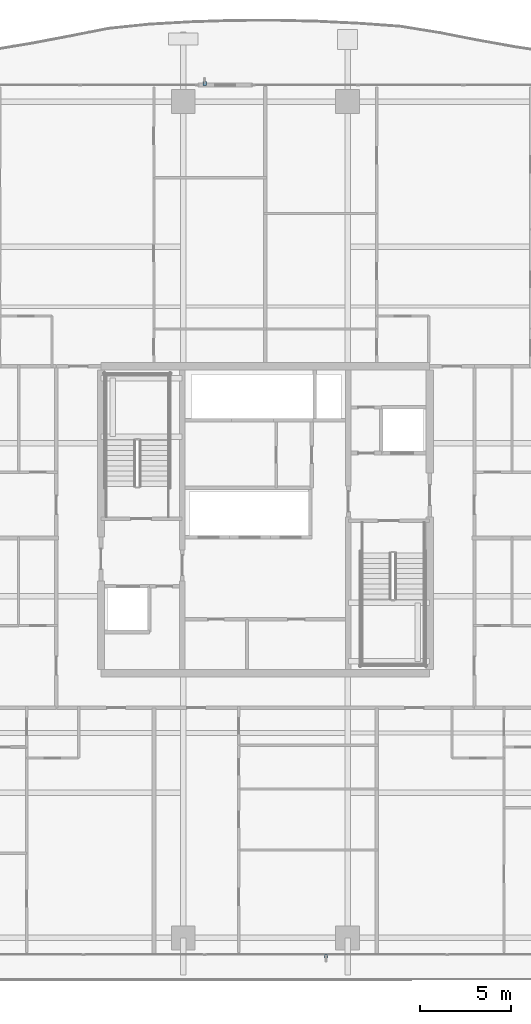
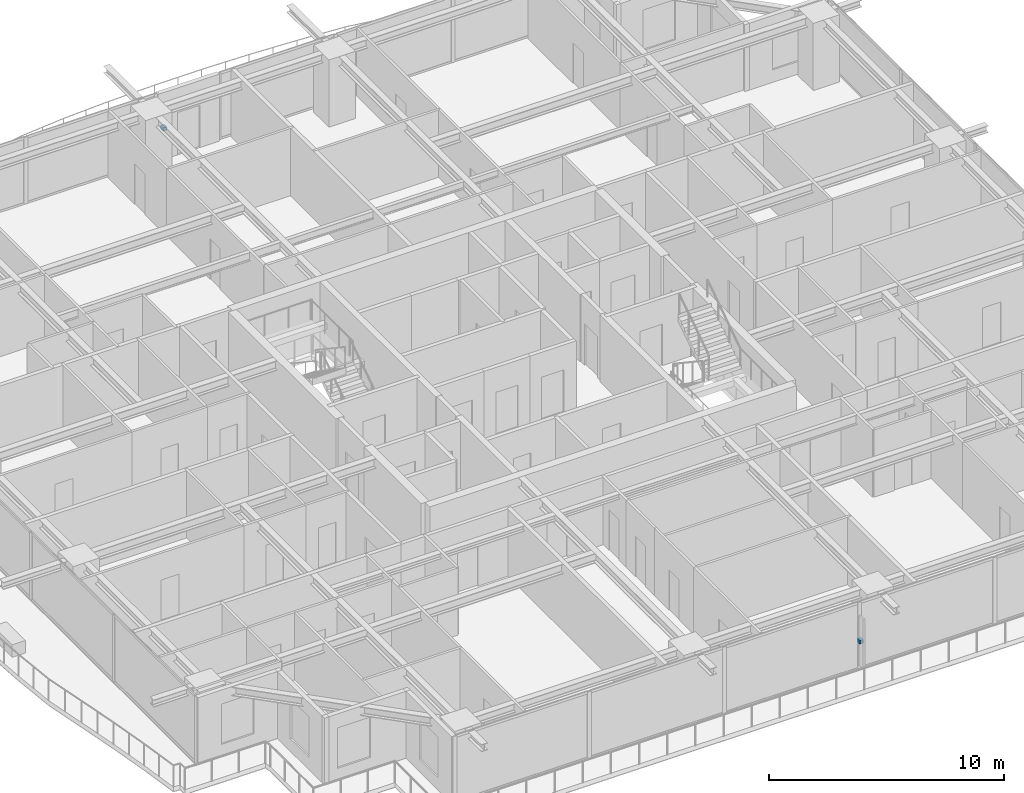
# One storey, part 32 of 39: 2 discrete accessories.
"""IFC4 building model written with IfcOpenShell, lengths in metres."""

import ifcopenshell
import ifcopenshell.guid

model = None  # the IFC model being written
_history = None  # IfcOwnerHistory: only IFC2X3 demands one
_inside = {}  # id of a spatial element -> (the spatial element, [elements in it])
_under = {}  # id of a project, library or spatial element -> (it, [spatial elements below it])
_declared = {}  # id of a project -> (the project, [libraries it declares])
_typed = {}  # id of a type object -> (the type object, [elements of that type])
_made_of = {}  # id of a material, layer set ... -> (it, [elements and type objects made of it])


def new_model(schema):
    """Start an empty IFC model of exactly this schema.

    Asked for "IFC4X3", IfcOpenShell would pick the latest addendum, in which some entities
    have other attributes; the version numbers below select the first issue.
    IFC2X3 requires an IfcOwnerHistory on every rooted entity: one is made here for all.
    """
    global model, _history
    if schema == "IFC4X3":
        model = ifcopenshell.file(schema_version=(4, 3, 0, 0))
    else:
        model = ifcopenshell.file(schema=schema)
    _inside.clear()
    _under.clear()
    _declared.clear()
    _typed.clear()
    _made_of.clear()
    _history = None
    if model.schema == "IFC2X3":
        org = make("IfcOrganization", Name="unknown")
        user = make(
            "IfcPersonAndOrganization",
            ThePerson=make("IfcPerson", FamilyName="unknown"),
            TheOrganization=org,
        )
        app = make(
            "IfcApplication",
            ApplicationDeveloper=org,
            Version="unknown",
            ApplicationFullName="unknown",
            ApplicationIdentifier="unknown",
        )
        _history = make(
            "IfcOwnerHistory",
            OwningUser=user,
            OwningApplication=app,
            ChangeAction="ADDED",
            CreationDate=0,
        )
    return model


def make(cls, **values):
    """One entity of the class cls with the attributes given. An attribute that is None is left unset."""
    return model.create_entity(
        cls, **{name: value for name, value in values.items() if value is not None}
    )


def rooted(cls, **values):
    """An entity with a GlobalId (a new one), such as an element, a storey or a relation."""
    return make(cls, GlobalId=ifcopenshell.guid.new(), OwnerHistory=_history, **values)


def si_unit(unit_type, name, prefix=None):
    """IfcSIUnit, for example si_unit("LENGTHUNIT", "METRE", prefix="MILLI")."""
    return make("IfcSIUnit", UnitType=unit_type, Prefix=prefix, Name=name)


def assignment(units):
    """IfcUnitAssignment: the units of a project."""
    return None if units is None else make("IfcUnitAssignment", Units=units)


def point(xyz):
    """IfcCartesianPoint."""
    return None if xyz is None else make("IfcCartesianPoint", Coordinates=xyz)


def direction(xyz):
    """IfcDirection."""
    return None if xyz is None else make("IfcDirection", DirectionRatios=xyz)


def frame(location, z_axis=None, x_axis=None):
    """IfcAxis2Placement3D, a coordinate frame: its origin and axes. An axis left out is left unset."""
    return make(
        "IfcAxis2Placement3D",
        Location=point(location),
        Axis=direction(z_axis),
        RefDirection=direction(x_axis),
    )


def frame_2d(location, x_axis=None):
    """IfcAxis2Placement2D, a coordinate frame in the plane: its origin and x axis."""
    return make(
        "IfcAxis2Placement2D", Location=point(location), RefDirection=direction(x_axis)
    )


def origin():
    """The frame at (0, 0, 0) with its axes left unset."""
    return frame((0.0, 0.0, 0.0))


def origin_2d():
    """The frame at (0, 0) in the plane with its x axis left unset."""
    return frame_2d((0.0, 0.0))


def place(relative_to, where):
    """IfcLocalPlacement: puts the frame where relative to a parent placement (None: the world)."""
    return make(
        "IfcLocalPlacement", PlacementRelTo=relative_to, RelativePlacement=where
    )


def context(
    kind, dimensions, precision=None, world=None, true_north=None, identifier=None
):
    """IfcGeometricRepresentationContext, for example the 3D "Model" context."""
    return make(
        "IfcGeometricRepresentationContext",
        ContextIdentifier=identifier,
        ContextType=kind,
        CoordinateSpaceDimension=dimensions,
        Precision=precision,
        WorldCoordinateSystem=world,
        TrueNorth=true_north,
    )


def subcontext(parent, identifier, kind, view, scale=None):
    """IfcGeometricRepresentationSubContext, for example "Body" below "Model"."""
    return make(
        "IfcGeometricRepresentationSubContext",
        ContextIdentifier=identifier,
        ContextType=kind,
        ParentContext=parent,
        TargetScale=scale,
        TargetView=view,
    )


def project(units=None, contexts=None):
    """IfcProject with its units and contexts."""
    return rooted(
        "IfcProject",
        Name="project",
        RepresentationContexts=contexts,
        UnitsInContext=assignment(units),
    )


def spatial(cls, under=None, at=None, **own):
    """A site, building, storey or space (cls), placed at a placement, below another one or the project."""
    s = rooted(cls, ObjectPlacement=at, **own)
    if under is not None:
        _under.setdefault(under.id(), (under, []))[1].append(s)
    return s


def profile(cls, at=None, kind="AREA", **sizes):
    """A parametric profile (cls). Its sizes go by their IFC names, for example OverallWidth=200.0."""
    return make(cls, ProfileType=kind, Position=at, **sizes)


def rectangle(**sizes):
    """IfcRectangleProfileDef."""
    return profile("IfcRectangleProfileDef", **sizes)


def extrude(swept, where, along, depth):
    """IfcExtrudedAreaSolid: the profile swept, set in the frame where, extruded along a direction by depth."""
    return make(
        "IfcExtrudedAreaSolid",
        SweptArea=swept,
        Position=where,
        ExtrudedDirection=direction(along),
        Depth=depth,
    )


def shape(context_of_items, identifier, shape_type, items):
    """IfcShapeRepresentation: the items that make up one representation, for example the "Body"."""
    return make(
        "IfcShapeRepresentation",
        ContextOfItems=context_of_items,
        RepresentationIdentifier=identifier,
        RepresentationType=shape_type,
        Items=items,
    )


def source(mapping_origin, context_of_items, identifier, shape_type, items):
    """IfcRepresentationMap: a shape defined once, which mapped items show again and again."""
    return make(
        "IfcRepresentationMap",
        MappingOrigin=mapping_origin,
        MappedRepresentation=shape(context_of_items, identifier, shape_type, items),
    )


def transform(
    local_origin,
    x_axis=None,
    y_axis=None,
    z_axis=None,
    scale=None,
    scale2=None,
    scale3=None,
    uniform=True,
):
    """IfcCartesianTransformationOperator3D, or its non-uniform kind. x_axis, y_axis, z_axis: its Axis1, 2, 3."""
    if uniform:
        return make(
            "IfcCartesianTransformationOperator3D",
            Axis1=direction(x_axis),
            Axis2=direction(y_axis),
            LocalOrigin=point(local_origin),
            Scale=scale,
            Axis3=direction(z_axis),
        )
    return make(
        "IfcCartesianTransformationOperator3DnonUniform",
        Axis1=direction(x_axis),
        Axis2=direction(y_axis),
        LocalOrigin=point(local_origin),
        Scale=scale,
        Axis3=direction(z_axis),
        Scale2=scale2,
        Scale3=scale3,
    )


def mapped(mapping_source, mapping_target):
    """IfcMappedItem: shows the shape of a source again, moved by a transform."""
    return make(
        "IfcMappedItem", MappingSource=mapping_source, MappingTarget=mapping_target
    )


def material(Name=None, Category=None):
    """IfcMaterial."""
    return make("IfcMaterial", Name=Name, Category=Category)


def made_of(thing, what):
    """Note that an element or type object is made of a material, layer set ...; save() writes the relation."""
    if what is not None:
        _made_of.setdefault(what.id(), (what, []))[1].append(thing)
    return thing


def type_object(cls, material=None, **own):
    """A type object (cls), such as IfcWallType, which elements share."""
    return made_of(rooted(cls, **own), material)


def element(
    cls,
    number,
    at=None,
    inside=None,
    cuts=None,
    type_object=None,
    material=None,
    context=None,
    identifier="Body",
    shape_type=None,
    held_by="IfcProductDefinitionShape",
    body=None,
    shapes=None,
    **own,
):
    """One element of the class cls, such as IfcWall. Its Tag is "e" and its number.

    at: its placement. inside: the storey or other place that contains it. cuts: it is an
    opening in that element (IfcRelVoidsElement). A single representation is given by context,
    identifier, shape_type and body (its items); several are given by shapes. held_by: the class
    of the entity that holds the representations. save() writes the other relations.
    """
    e = rooted(cls, Tag="e%d" % number, ObjectPlacement=at, **own)
    if body is not None:
        shapes = [shape(context, identifier, shape_type, body)]
    if shapes is not None:
        e.Representation = make(held_by, Representations=shapes)
    if inside is not None:
        _inside.setdefault(inside.id(), (inside, []))[1].append(e)
    if cuts is not None:
        rooted(
            "IfcRelVoidsElement", RelatingBuildingElement=cuts, RelatedOpeningElement=e
        )
    if type_object is not None:
        _typed.setdefault(type_object.id(), (type_object, []))[1].append(e)
    return made_of(e, material)


def aggregate(whole, parts):
    """IfcRelAggregates: a whole, such as a stair, and the parts it consists of."""
    return rooted("IfcRelAggregates", RelatingObject=whole, RelatedObjects=parts)


def save(model, path):
    """Write the relations noted so far, then the file.

    IfcRelAggregates (storeys below a building ...), IfcRelContainedInSpatialStructure (elements
    in a storey), IfcRelDefinesByType, IfcRelAssociatesMaterial and IfcRelDeclares: one each for
    every whole, place, type object, material and project.
    """
    for whole, parts in _under.values():
        aggregate(whole, parts)
    for where, things in _inside.values():
        rooted(
            "IfcRelContainedInSpatialStructure",
            RelatedElements=things,
            RelatingStructure=where,
        )
    for kind, things in _typed.values():
        rooted("IfcRelDefinesByType", RelatedObjects=things, RelatingType=kind)
    for what, things in _made_of.values():
        rooted("IfcRelAssociatesMaterial", RelatedObjects=things, RelatingMaterial=what)
    for by, libraries in _declared.values():
        rooted("IfcRelDeclares", RelatingContext=by, RelatedDefinitions=libraries)
    model.write(path)


model = new_model("IFC4")

# Units and contexts
model_context = context("Model", 3, precision=1e-05, world=origin(), true_north=direction((0.0, 1.0)))
body_context = subcontext(model_context, "Body", "Model", "MODEL_VIEW")
ifc_project = project(units=[si_unit("LENGTHUNIT", "METRE"), si_unit("AREAUNIT", "SQUARE_METRE"), si_unit("VOLUMEUNIT", "CUBIC_METRE"), si_unit("PLANEANGLEUNIT", "RADIAN"), si_unit("MASSUNIT", "GRAM", prefix="KILO")], contexts=[model_context])

# Site, building, storey
site_placement = place(None, origin())
site = spatial("IfcSite", under=ifc_project, at=site_placement, CompositionType="ELEMENT")
building_placement = place(site_placement, origin())
building = spatial("IfcBuilding", under=site, at=building_placement, Name="Serunith Strait Residences", CompositionType="ELEMENT")
storey_placement = place(building_placement, frame((0.0, 0.0, 123.89990234375)))
storey = spatial("IfcBuildingStorey", under=building, at=storey_placement, Name="L30", CompositionType="ELEMENT", Elevation=123.89990234375)

# Discrete accessories
ifc_material = material(Name="Stainless Steel Facade Cleat Bracket", Category="steel")
discrete_accessory_type = type_object("IfcDiscreteAccessoryType", Name="ACC-FIN-BRACKET", PredefinedType="USERDEFINED", material=ifc_material)
shared_shape = source(origin(), body_context, "Body", "SweptSolid", [
    extrude(rectangle(XDim=0.179931640625, YDim=0.219970703125, at=origin_2d()), origin(), (0.0, 0.0, 1.0), 0.179931640625),
])
for number, where, z_axis, x_axis, name in (
    (1, (35.719970703125, 1.320068359375, 1.41015625), (0.0, 0.0, 1.0), (1.0, 0.0, 0.0), "L30 Solar Fin Cleat Bracket S"),
    (2, (29.080078125, 49.080078125, 1.41015625), (0.0, 0.0, 1.0), (1.0, 0.0, 0.0), "L30 Solar Fin Cleat Bracket N"),
):
    element("IfcDiscreteAccessory", number, at=place(storey_placement, frame(where, z_axis=z_axis, x_axis=x_axis)), inside=storey, type_object=discrete_accessory_type, Name=name, ObjectType="BRACKET", PredefinedType="USERDEFINED", context=body_context, shape_type="MappedRepresentation", body=[
        mapped(shared_shape, transform((0.0, 0.0, 0.0), scale=1.0)),
    ])

save(model, "model.ifc")
